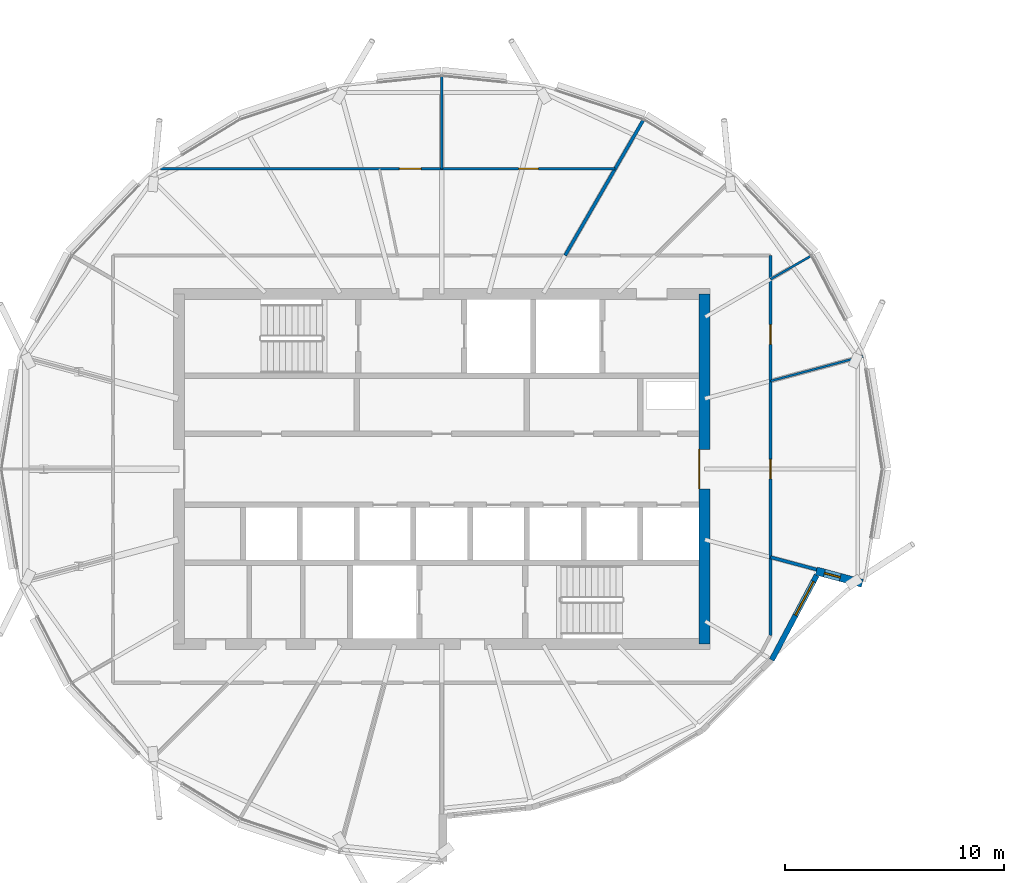
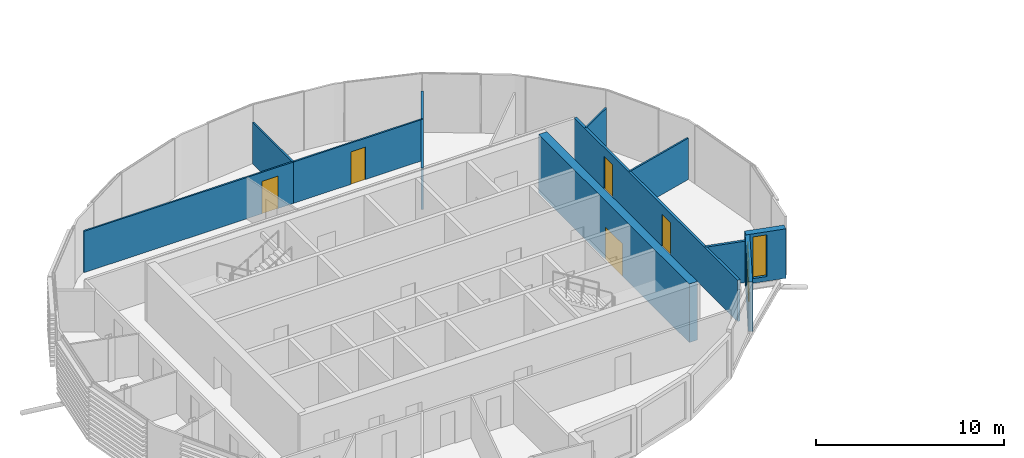
# One storey, part 18 of 34: 11 walls, 5 doors, 2 windows, 7 openings.
"""IFC4 building model written with IfcOpenShell, lengths in metres."""

from ifc_helpers import new_model, si_unit, direction, frame, frame_2d, origin, place, context, subcontext, project, spatial, rectangle, extrude, material, layer, layer_set, type_object, element, fill, save


model = new_model("IFC4")

# Units and contexts
model_context = context("Model", 3, precision=1e-05, world=origin(), true_north=direction((0.0, 1.0)))
body_context = subcontext(model_context, "Body", "Model", "MODEL_VIEW")
ifc_project = project(units=[si_unit("LENGTHUNIT", "METRE"), si_unit("AREAUNIT", "SQUARE_METRE"), si_unit("VOLUMEUNIT", "CUBIC_METRE"), si_unit("PLANEANGLEUNIT", "RADIAN"), si_unit("MASSUNIT", "GRAM", prefix="KILO")], contexts=[model_context])

# Site, building, storey
site_placement = place(None, origin())
site = spatial("IfcSite", under=ifc_project, at=site_placement, CompositionType="ELEMENT")
building_placement = place(site_placement, origin())
building = spatial("IfcBuilding", under=site, at=building_placement, Name="Rimbun Link Towers", CompositionType="ELEMENT")
storey_placement = place(building_placement, frame((0.0, 0.0, 252.300048828125)))
storey = spatial("IfcBuildingStorey", under=building, at=storey_placement, Name="L62", CompositionType="ELEMENT", Elevation=252.300048828125)

# Wall, opening, window
ifc_material_1 = material(Name="Dark enamelled glass spandrel on insulated aluminium backpan", Category="aluminium")
ifc_layer_1 = layer(ifc_material_1, 0.25)
ifc_layer_set_1 = layer_set([ifc_layer_1], Name="CS dark enamelled spandrel wall 250")
wall_type_1 = type_object("IfcWallType", Name="CS dark enamelled spandrel wall 250", PredefinedType="STANDARD", material=ifc_layer_set_1)
wall_1_placement = place(storey_placement, frame((-14.6123046875, -4.850830078125, 0.0), z_axis=(0.0, 0.0, 1.0), x_axis=(-0.46890821679, -0.883246898792, 0.0)))
wall_1 = element("IfcWall", 1, at=wall_1_placement, inside=storey, type_object=wall_type_1, Name="Crease spandrel wall", PredefinedType="STANDARD", context=body_context, shape_type="SweptSolid", body=[
    extrude(rectangle(XDim=4.384521484375, YDim=0.25, at=frame_2d((2.1923828125, 0.0))), origin(), (0.0, 0.0, 1.0), 3.20361328125),
])
opening_1_placement = place(wall_1_placement, frame((0.319091796875, 0.0, 0.300048828125)))
opening_1 = element("IfcOpeningElement", 2, at=opening_1_placement, cuts=wall_1, Name="Opening WR18H270", PredefinedType="OPENING", context=body_context, shape_type="SweptSolid", body=[
    extrude(rectangle(XDim=1.75, YDim=2.699951171875, at=frame_2d((0.875, 1.35009765625))), frame((0.0, 0.135009765625, 0.0), z_axis=(0.0, -1.0, 0.0), x_axis=(1.0, 0.0, 0.0)), (0.0, 0.0, 1.0), 0.27001953125),
])
ifc_material_2 = material(Name="Aluminium framed fixed window, dark tinted low-e glass", Category="aluminium")
window_type_1 = type_object("IfcWindowType", Name="WR ribbon window 1750X2700", PartitioningType="SINGLE_PANEL", PredefinedType="WINDOW", material=ifc_material_2)
window_1_placement = place(opening_1_placement, origin())
window_1 = element("IfcWindow", 3, at=window_1_placement, inside=storey, type_object=window_type_1, Name="Crease ribbon window", OverallHeight=2.699951171875, OverallWidth=1.75, PartitioningType="SINGLE_PANEL", PredefinedType="WINDOW", context=body_context, shape_type="SweptSolid", body=[
    extrude(rectangle(XDim=1.75, YDim=2.699951171875, at=frame_2d((0.875, 1.35009765625))), frame((0.0, 0.030029296875, 0.0), z_axis=(0.0, -1.0, 0.0), x_axis=(1.0, 0.0, 0.0)), (0.0, 0.0, 1.0), 0.06005859375),
])
fill(opening_1, window_1)

ifc_material_3 = material(Name="Dark enamelled glass spandrel on insulated aluminium backpan", Category="aluminium")
ifc_layer_2 = layer(ifc_material_3, 0.3701171875)
ifc_layer_set_2 = layer_set([ifc_layer_2], Name="CS dark enamelled spandrel wall 370")
wall_type_2 = type_object("IfcWallType", Name="CS dark enamelled spandrel wall 370", PredefinedType="STANDARD", material=ifc_layer_set_2)
wall_2_placement = place(storey_placement, frame((-12.527099609375, -5.218017578125, 0.0), z_axis=(0.0, 0.0, 1.0), x_axis=(-0.96592755611, 0.258812589237, 0.0)))
wall_2 = element("IfcWall", 4, at=wall_2_placement, inside=storey, type_object=wall_type_2, Name="Crease spandrel wall", PredefinedType="STANDARD", context=body_context, shape_type="SweptSolid", body=[
    extrude(rectangle(XDim=2.179931640625, YDim=0.3701171875, at=frame_2d((1.08984375, 0.0))), origin(), (0.0, 0.0, 1.0), 3.20361328125),
])
opening_2_placement = place(wall_2_placement, frame((1.04345703125, 0.0, 0.300048828125)))
opening_2 = element("IfcOpeningElement", 5, at=opening_2_placement, cuts=wall_2, Name="Opening WR08H270", PredefinedType="OPENING", context=body_context, shape_type="SweptSolid", body=[
    extrude(rectangle(XDim=0.75, YDim=2.699951171875, at=frame_2d((0.375, 1.35009765625))), frame((0.0, 0.195068359375, 0.0), z_axis=(0.0, -1.0, 0.0), x_axis=(1.0, 0.0, 0.0)), (0.0, 0.0, 1.0), 0.39013671875),
])
ifc_material_4 = material(Name="Aluminium framed fixed window, dark tinted low-e glass", Category="aluminium")
window_type_2 = type_object("IfcWindowType", Name="WR ribbon window 750X2700", PartitioningType="SINGLE_PANEL", PredefinedType="WINDOW", material=ifc_material_4)
window_2_placement = place(opening_2_placement, origin())
window_2 = element("IfcWindow", 6, at=window_2_placement, inside=storey, type_object=window_type_2, Name="Crease ribbon window", OverallHeight=2.699951171875, OverallWidth=0.75, PartitioningType="SINGLE_PANEL", PredefinedType="WINDOW", context=body_context, shape_type="SweptSolid", body=[
    extrude(rectangle(XDim=0.75, YDim=2.699951171875, at=frame_2d((0.375, 1.35009765625))), frame((0.0, 0.030029296875, 0.0), z_axis=(0.0, -1.0, 0.0), x_axis=(1.0, 0.0, 0.0)), (0.0, 0.0, 1.0), 0.06005859375),
])
fill(opening_2, window_2)

# Wall, opening, door
ifc_material_5 = material(Name="Concrete C60/75", Category="concrete")
ifc_layer_3 = layer(ifc_material_5, 0.5)
ifc_layer_set_3 = layer_set([ifc_layer_3], Name="Core shear wall 500")
wall_type_3 = type_object("IfcWallType", Name="Core shear wall 500", PredefinedType="SHEAR", material=ifc_layer_set_3)
wall_3_placement = place(storey_placement, frame((-19.75, -8.0, 0.0), z_axis=(0.0, 0.0, 1.0), x_axis=(0.0, 1.0, 0.0)))
wall_3 = element("IfcWall", 7, at=wall_3_placement, inside=storey, type_object=wall_type_3, Name="L62 T1 core wall E", PredefinedType="SHEAR", context=body_context, shape_type="SweptSolid", body=[
    extrude(rectangle(XDim=16.0, YDim=0.5, at=frame_2d((8.0, 0.0))), origin(), (0.0, 0.0, 1.0), 3.800048828125),
])
opening_3_placement = place(wall_3_placement, frame((7.10009765625, 0.0, 0.0)))
opening_3 = element("IfcOpeningElement", 8, at=opening_3_placement, cuts=wall_3, Name="Opening C1DCL01E", PredefinedType="OPENING", context=body_context, shape_type="SweptSolid", body=[
    extrude(rectangle(XDim=1.800048828125, YDim=2.10009765625, at=frame_2d((0.89990234375, 1.050048828125))), frame((0.0, 0.260009765625, 0.0), z_axis=(0.0, -1.0, 0.0), x_axis=(1.0, 0.0, 0.0)), (0.0, 0.0, 1.0), 0.52001953125),
])
ifc_material_6 = material(Name="Steel fire door set", Category="steel")
door_type_1 = type_object("IfcDoorType", Name="Core lobby door double", OperationType="DOUBLE_DOOR_SINGLE_SWING", PredefinedType="DOOR", material=ifc_material_6)
door_1_placement = place(opening_3_placement, origin())
door_1 = element("IfcDoor", 9, at=door_1_placement, inside=storey, type_object=door_type_1, Name="L62 T1 lift lobby door", OperationType="DOUBLE_DOOR_SINGLE_SWING", OverallHeight=2.10009765625, OverallWidth=1.800048828125, PredefinedType="DOOR", context=body_context, shape_type="SweptSolid", body=[
    extrude(rectangle(XDim=1.800048828125, YDim=2.10009765625, at=frame_2d((0.89990234375, 1.050048828125))), frame((0.0, 0.25, 0.0), z_axis=(0.0, -1.0, 0.0), x_axis=(1.0, 0.0, 0.0)), (0.0, 0.0, 1.0), 0.050048828125),
])
fill(opening_3, door_1)

# Wall, openings, doors
ifc_material_7 = material(Name="Plasterboard on steel stud, mineral wool", Category="steel")
ifc_layer_4 = layer(ifc_material_7, 0.14990234375)
ifc_layer_set_4 = layer_set([ifc_layer_4], Name="Corridor wall EI 30 150 mm")
wall_type_4 = type_object("IfcWallType", Name="Corridor wall EI 30 150 mm", PredefinedType="PARTITIONING", material=ifc_layer_set_4)
wall_4_placement = place(storey_placement, frame((-16.72509765625, 9.764892578125, 0.0), z_axis=(0.0, 0.0, 1.0), x_axis=(0.0, -1.0, 0.0)))
wall_4 = element("IfcWall", 10, at=wall_4_placement, inside=storey, type_object=wall_type_4, Name="Corridor wall EI 30 150 mm", PredefinedType="PARTITIONING", context=body_context, shape_type="SweptSolid", body=[
    extrude(rectangle(XDim=17.368896484375, YDim=0.14990234375, at=frame_2d((8.6845703125, 0.0))), origin(), (0.0, 0.0, 1.0), 2.681884765625),
])
opening_4_placement = place(wall_4_placement, frame((9.31494140625, 0.0, 0.0)))
opening_4 = element("IfcOpeningElement", 11, at=opening_4_placement, cuts=wall_4, Name="Opening D02", PredefinedType="OPENING", context=body_context, shape_type="SweptSolid", body=[
    extrude(rectangle(XDim=0.89990234375, YDim=2.10009765625, at=frame_2d((0.449951171875, 1.050048828125))), frame((0.0, 0.0849609375, 0.0), z_axis=(0.0, -1.0, 0.0), x_axis=(1.0, 0.0, 0.0)), (0.0, 0.0, 1.0), 0.169921875),
])
opening_5_placement = place(wall_4_placement, frame((3.162109375, 0.0, 0.0)))
opening_5 = element("IfcOpeningElement", 12, at=opening_5_placement, cuts=wall_4, Name="Opening D02", PredefinedType="OPENING", context=body_context, shape_type="SweptSolid", body=[
    extrude(rectangle(XDim=0.89990234375, YDim=2.10009765625, at=frame_2d((0.449951171875, 1.050048828125))), frame((0.0, 0.0849609375, 0.0), z_axis=(0.0, -1.0, 0.0), x_axis=(1.0, 0.0, 0.0)), (0.0, 0.0, 1.0), 0.169921875),
])
ifc_material_8 = material(Name="Fire-resisting timber door leaf", Category="wood")
door_type_2 = type_object("IfcDoorType", Name="Fire door FD30S 900", OperationType="NOTDEFINED", PredefinedType="DOOR", material=ifc_material_8)
door_2_placement = place(opening_4_placement, origin())
door_2 = element("IfcDoor", 13, at=door_2_placement, inside=storey, type_object=door_type_2, Name="Fire door FD30S 900 to Boardroom", OperationType="SINGLE_SWING_LEFT", OverallHeight=2.10009765625, OverallWidth=0.89990234375, PredefinedType="DOOR", context=body_context, shape_type="SweptSolid", body=[
    extrude(rectangle(XDim=0.89990234375, YDim=2.10009765625, at=frame_2d((0.449951171875, 1.050048828125))), frame((0.0, 0.02490234375, 0.0), z_axis=(0.0, -1.0, 0.0), x_axis=(1.0, 0.0, 0.0)), (0.0, 0.0, 1.0), 0.050048828125),
])
fill(opening_4, door_2)
door_3_placement = place(opening_5_placement, origin())
door_3 = element("IfcDoor", 14, at=door_3_placement, inside=storey, type_object=door_type_2, Name="Fire door FD30S 900 to Meeting room", OperationType="SINGLE_SWING_RIGHT", OverallHeight=2.10009765625, OverallWidth=0.89990234375, PredefinedType="DOOR", context=body_context, shape_type="SweptSolid", body=[
    extrude(rectangle(XDim=0.89990234375, YDim=2.10009765625, at=frame_2d((0.449951171875, 1.050048828125))), frame((0.0, 0.02490234375, 0.0), z_axis=(0.0, -1.0, 0.0), x_axis=(1.0, 0.0, 0.0)), (0.0, 0.0, 1.0), 0.050048828125),
])
fill(opening_5, door_3)

# Walls
ifc_material_9 = material(Name="Plasterboard on steel stud", Category="steel")
ifc_layer_5 = layer(ifc_material_9, 0.10009765625)
ifc_layer_set_5 = layer_set([ifc_layer_5], Name="Plasterboard partition 100 mm")
wall_type_5 = type_object("IfcWallType", Name="Plasterboard partition 100 mm", PredefinedType="PARTITIONING", material=ifc_layer_set_5)
wall_5_placement = place(storey_placement, frame((-12.490966796875, 5.160400390625, 0.0), z_axis=(0.0, 0.0, 1.0), x_axis=(-0.965926422845, -0.258816818714, 0.0)))
element("IfcWall", 15, at=wall_5_placement, inside=storey, type_object=wall_type_5, Name="Plasterboard partition 100 mm", PredefinedType="PARTITIONING", context=body_context, shape_type="SweptSolid", body=[
    extrude(rectangle(XDim=4.383544921875, YDim=0.10009765625, at=frame_2d((2.19189453125, 0.0))), origin(), (0.0, 0.0, 1.0), 2.681884765625),
])
wall_6_placement = place(storey_placement, frame((-14.864990234375, 9.74853515625, 0.0), z_axis=(0.0, 0.0, 1.0), x_axis=(-0.866066338354, -0.499929092542, 0.0)))
element("IfcWall", 16, at=wall_6_placement, inside=storey, type_object=wall_type_5, Name="Plasterboard partition 100 mm", PredefinedType="PARTITIONING", context=body_context, shape_type="SweptSolid", body=[
    extrude(rectangle(XDim=2.147705078125, YDim=0.10009765625, at=frame_2d((1.07373046875, 0.0))), origin(), (0.0, 0.0, 1.0), 2.681884765625),
])

# Wall, opening, door
wall_7_placement = place(storey_placement, frame((-31.75, 13.72509765625, 0.0), z_axis=(0.0, 0.0, 1.0), x_axis=(1.0, 0.0, 0.0)))
wall_7 = element("IfcWall", 17, at=wall_7_placement, inside=storey, type_object=wall_type_5, Name="Plasterboard partition 100 mm", PredefinedType="PARTITIONING", context=body_context, shape_type="SweptSolid", body=[
    extrude(rectangle(XDim=7.92431640625, YDim=0.10009765625, at=frame_2d((3.962158203125, 0.0))), origin(), (0.0, 0.0, 1.0), 2.681884765625),
])
opening_6_placement = place(wall_7_placement, frame((3.51220703125, 0.0, 0.0)))
opening_6 = element("IfcOpeningElement", 18, at=opening_6_placement, cuts=wall_7, Name="Opening D04", PredefinedType="OPENING", context=body_context, shape_type="SweptSolid", body=[
    extrude(rectangle(XDim=0.89990234375, YDim=2.10009765625, at=frame_2d((0.449951171875, 1.050048828125))), frame((0.0, 0.06005859375, 0.0), z_axis=(0.0, -1.0, 0.0), x_axis=(1.0, 0.0, 0.0)), (0.0, 0.0, 1.0), 0.1201171875),
])
ifc_material_10 = material(Name="Timber door leaf", Category="wood")
door_type_3 = type_object("IfcDoorType", Name="Flush door 900", OperationType="NOTDEFINED", PredefinedType="DOOR", material=ifc_material_10)
door_4_placement = place(opening_6_placement, origin())
door_4 = element("IfcDoor", 19, at=door_4_placement, inside=storey, type_object=door_type_3, Name="Flush door 900 to Executive office", OperationType="SINGLE_SWING_RIGHT", OverallHeight=2.10009765625, OverallWidth=0.89990234375, PredefinedType="DOOR", context=body_context, shape_type="SweptSolid", body=[
    extrude(rectangle(XDim=0.89990234375, YDim=2.10009765625, at=frame_2d((0.449951171875, 1.050048828125))), frame((0.0, 0.02490234375, 0.0), z_axis=(0.0, -1.0, 0.0), x_axis=(1.0, 0.0, 0.0)), (0.0, 0.0, 1.0), 0.050048828125),
])
fill(opening_6, door_4)

wall_8_placement = place(storey_placement, frame((-44.599853515625, 13.72509765625, 0.0), z_axis=(0.0, 0.0, 1.0), x_axis=(1.0, 0.0, 0.0)))
wall_8 = element("IfcWall", 20, at=wall_8_placement, inside=storey, type_object=wall_type_5, Name="Plasterboard partition 100 mm", PredefinedType="PARTITIONING", context=body_context, shape_type="SweptSolid", body=[
    extrude(rectangle(XDim=12.849853515625, YDim=0.10009765625, at=frame_2d((6.4248046875, 0.0))), origin(), (0.0, 0.0, 1.0), 2.681884765625),
])
opening_7_placement = place(wall_8_placement, frame((10.9091796875, 0.0, 0.0)))
opening_7 = element("IfcOpeningElement", 21, at=opening_7_placement, cuts=wall_8, Name="Opening D03", PredefinedType="OPENING", context=body_context, shape_type="SweptSolid", body=[
    extrude(rectangle(XDim=1.0, YDim=2.10009765625, at=frame_2d((0.5, 1.050048828125))), frame((0.0, 0.06005859375, 0.0), z_axis=(0.0, -1.0, 0.0), x_axis=(1.0, 0.0, 0.0)), (0.0, 0.0, 1.0), 0.1201171875),
])
ifc_material_11 = material(Name="Timber door leaf", Category="wood")
door_type_4 = type_object("IfcDoorType", Name="Flush door 1000", OperationType="NOTDEFINED", PredefinedType="DOOR", material=ifc_material_11)
door_5_placement = place(opening_7_placement, origin())
door_5 = element("IfcDoor", 22, at=door_5_placement, inside=storey, type_object=door_type_4, Name="Flush door 1000 to Open office", OperationType="SINGLE_SWING_LEFT", OverallHeight=2.10009765625, OverallWidth=1.0, PredefinedType="DOOR", context=body_context, shape_type="SweptSolid", body=[
    extrude(rectangle(XDim=1.0, YDim=2.10009765625, at=frame_2d((0.5, 1.050048828125))), frame((0.0, 0.02490234375, 0.0), z_axis=(0.0, -1.0, 0.0), x_axis=(1.0, 0.0, 0.0)), (0.0, 0.0, 1.0), 0.050048828125),
])
fill(opening_7, door_5)

# Walls
wall_9_placement = place(storey_placement, frame((-31.75, 17.953369140625, 0.0), z_axis=(0.0, 0.0, 1.0), x_axis=(0.0, -1.0, 0.0)))
element("IfcWall", 23, at=wall_9_placement, inside=storey, type_object=wall_type_5, Name="Plasterboard partition 100 mm", PredefinedType="PARTITIONING", context=body_context, shape_type="SweptSolid", body=[
    extrude(rectangle(XDim=4.228271484375, YDim=0.10009765625, at=frame_2d((2.1142578125, 0.0))), origin(), (0.0, 0.0, 1.0), 2.681884765625),
])
ifc_material_12 = material(Name="Plasterboard on steel stud, mineral wool", Category="steel")
ifc_layer_6 = layer(ifc_material_12, 0.14990234375)
ifc_layer_set_6 = layer_set([ifc_layer_6], Name="Tenancy separation wall EI 60 150 mm")
wall_type_6 = type_object("IfcWallType", Name="Tenancy separation wall EI 60 150 mm", PredefinedType="PARTITIONING", material=ifc_layer_set_6)
wall_10_placement = place(storey_placement, frame((-26.112060546875, 9.764892578125, 0.0), z_axis=(0.0, 0.0, 1.0), x_axis=(0.499998286239, 0.866026393222, 0.0)))
element("IfcWall", 24, at=wall_10_placement, inside=storey, type_object=wall_type_6, Name="Tenancy separation wall EI 60 150 mm", PredefinedType="PARTITIONING", context=body_context, shape_type="SweptSolid", body=[
    extrude(rectangle(XDim=7.15087890625, YDim=0.14990234375, at=frame_2d((3.575439453125, 0.0))), origin(), (0.0, 0.0, 1.0), 2.681884765625),
])
wall_11_placement = place(storey_placement, frame((-16.72509765625, -4.02587890625, 0.0), z_axis=(0.0, 0.0, 1.0), x_axis=(0.965920601059, -0.258838545139, 0.0)))
element("IfcWall", 25, at=wall_11_placement, inside=storey, type_object=wall_type_6, Name="Tenancy separation wall EI 60 150 mm", PredefinedType="PARTITIONING", context=body_context, shape_type="SweptSolid", body=[
    extrude(rectangle(XDim=2.18359375, YDim=0.14990234375, at=frame_2d((1.091796875, 0.0))), origin(), (0.0, 0.0, 1.0), 2.681884765625),
])

save(model, "model.ifc")
